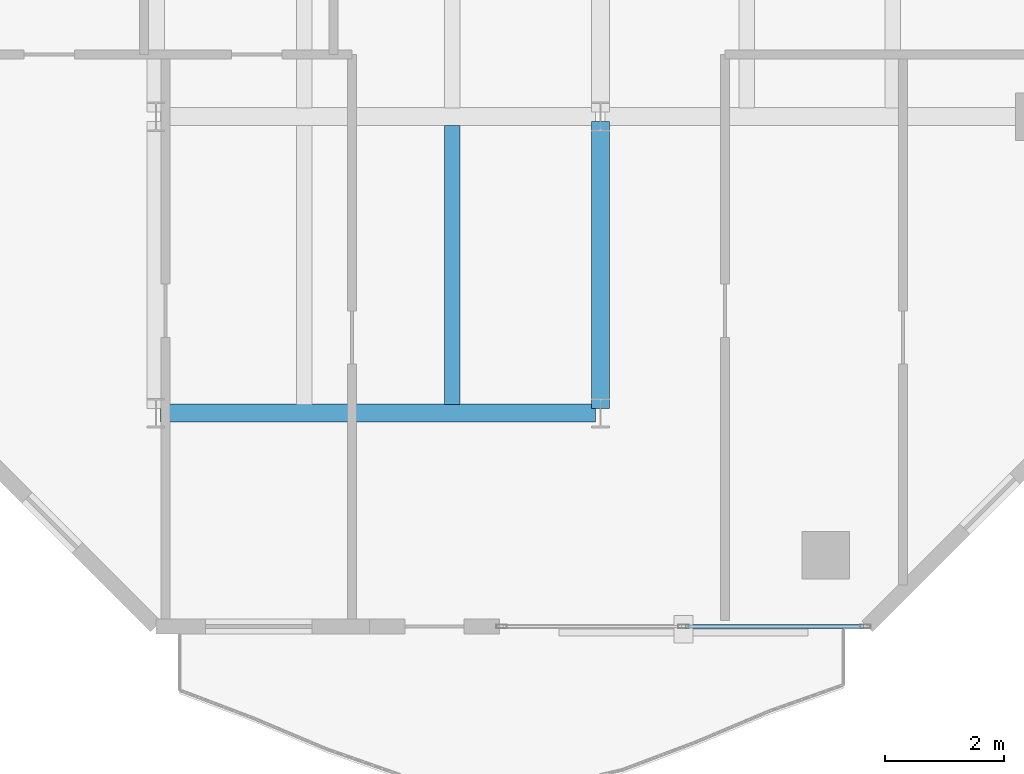
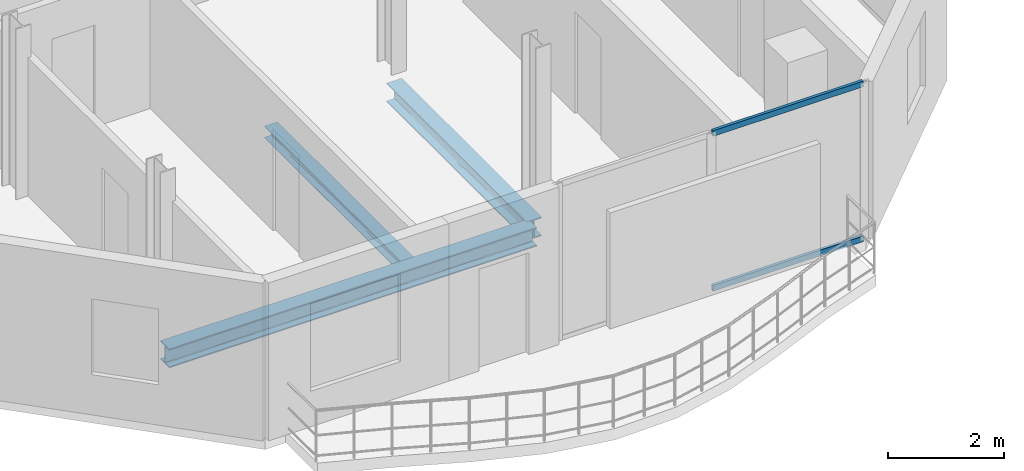
# One storey, part 4 of 23: 3 beams, 2 members, 1 element without a shape of its own.
"""IFC4 building model written with IfcOpenShell, lengths in metres."""

from ifc_helpers import new_model, si_unit, direction, frame, origin, origin_2d, place, context, subcontext, project, spatial, hollow_rectangle, i_section, extrude, material, layer, layer_set, material_profile, profile_set, type_object, element, aggregate, save


model = new_model("IFC4")

# Units and contexts
model_context = context("Model", 3, precision=1e-05, world=origin(), true_north=direction((0.0, 1.0)))
body_context = subcontext(model_context, "Body", "Model", "MODEL_VIEW")
ifc_project = project(units=[si_unit("LENGTHUNIT", "METRE"), si_unit("AREAUNIT", "SQUARE_METRE"), si_unit("VOLUMEUNIT", "CUBIC_METRE"), si_unit("PLANEANGLEUNIT", "RADIAN"), si_unit("MASSUNIT", "GRAM", prefix="KILO")], contexts=[model_context])

# Site, building, storey
site_placement = place(None, origin())
site = spatial("IfcSite", under=ifc_project, at=site_placement, CompositionType="ELEMENT")
building_placement = place(site_placement, origin())
building = spatial("IfcBuilding", under=site, at=building_placement, Name="Catumbela Crestline Tower", CompositionType="ELEMENT")
storey_placement = place(building_placement, frame((0.0, 0.0, 175.8)))
storey = spatial("IfcBuildingStorey", under=building, at=storey_placement, Name="L45", CompositionType="ELEMENT", Elevation=175.8)

# Beams
ifc_material_1 = material(Name="Structural steel S355J2", Category="steel")
ifc_material_profile_1 = material_profile(ifc_material_1, i_section(OverallWidth=0.3, OverallDepth=0.4, WebThickness=0.0135, FlangeThickness=0.024, FilletRadius=0.027, at=origin_2d()), Name="HEB 400")
ifc_profile_set_1 = profile_set([ifc_material_profile_1], Name="Structural steel S355J2")
beam_type_1 = type_object("IfcBeamType", Name="BG-HEB400", PredefinedType="BEAM", material=ifc_profile_set_1)
beam_1_placement = place(storey_placement, frame((8.58, 8.6, -0.46), z_axis=(1.0, 0.0, 0.0), x_axis=(0.0, 1.0, 0.0)))
element("IfcBeam", 1, at=beam_1_placement, inside=storey, type_object=beam_type_1, Name="L45 Beam BM-L45-WEW32", PredefinedType="BEAM", context=body_context, shape_type="SweptSolid", body=[
    extrude(i_section(OverallWidth=0.3, OverallDepth=0.4, WebThickness=0.0135, FlangeThickness=0.024, FilletRadius=0.027, at=origin_2d()), origin(), (0.0, 0.0, 1.0), 7.34),
])
beam_2_placement = place(storey_placement, frame((16.0, 8.68, -0.46), z_axis=(0.0, 1.0, 0.0), x_axis=(-1.0, 0.0, 0.0)))
element("IfcBeam", 2, at=beam_2_placement, inside=storey, type_object=beam_type_1, Name="L45 Beam BM-L45-WNS40", PredefinedType="BEAM", context=body_context, shape_type="SweptSolid", body=[
    extrude(i_section(OverallWidth=0.3, OverallDepth=0.4, WebThickness=0.0135, FlangeThickness=0.024, FilletRadius=0.027, at=origin_2d()), origin(), (0.0, 0.0, 1.0), 4.84),
])
ifc_material_profile_2 = material_profile(ifc_material_1, i_section(OverallWidth=0.26, OverallDepth=0.25, WebThickness=0.0075, FlangeThickness=0.0125, FilletRadius=0.024, at=origin_2d()), Name="HEA 260")
ifc_profile_set_2 = profile_set([ifc_material_profile_2], Name="Structural steel S355J2")
beam_type_2 = type_object("IfcBeamType", Name="BJ-HEA260", PredefinedType="JOIST", material=ifc_profile_set_2)
beam_3_placement = place(storey_placement, frame((13.5, 8.747, -0.385), z_axis=(0.0, 1.0, 0.0), x_axis=(-1.0, 0.0, 0.0)))
element("IfcBeam", 3, at=beam_3_placement, inside=storey, type_object=beam_type_2, Name="L45 Joist JS-L45-WG45", PredefinedType="JOIST", context=body_context, shape_type="SweptSolid", body=[
    extrude(i_section(OverallWidth=0.26, OverallDepth=0.25, WebThickness=0.0075, FlangeThickness=0.0125, FilletRadius=0.024, at=origin_2d()), origin(), (0.0, 0.0, 1.0), 4.706),
])

# Curtain wall, members
ifc_material_2 = material(Name="Aluminium alloy AW-6060-T66", Category="aluminium")
ifc_layer = layer(ifc_material_2, 0.18, Name="Aluminium alloy AW-6060-T66")
ifc_layer_set = layer_set([ifc_layer], Name="Aluminium alloy AW-6060-T66")
curtain_wall_type = type_object("IfcCurtainWallType", Name="CWU-Z3", PredefinedType="USERDEFINED", material=ifc_layer_set)
curtain_wall_placement = place(storey_placement, origin())
curtain_wall = element("IfcCurtainWall", 4, at=curtain_wall_placement, inside=storey, type_object=curtain_wall_type, Name="L45 Unitised Curtain Wall CW-L45-E0S2", ObjectType="UNITISED", PredefinedType="USERDEFINED")
ifc_material_profile_3 = material_profile(ifc_material_2, hollow_rectangle(XDim=0.06, YDim=0.12, WallThickness=0.0035, at=origin_2d()), Name="ALU 120x60x3.5")
ifc_profile_set_3 = profile_set([ifc_material_profile_3], Name="Aluminium alloy AW-6060-T66")
member_type = type_object("IfcMemberType", Name="TRN-120X60", PredefinedType="USERDEFINED", material=ifc_profile_set_3)
member_1_placement = place(storey_placement, frame((17.4325, 5.0, 0.03), z_axis=(1.0, 0.0, 0.0), x_axis=(0.0, 1.0, 0.0)))
member_1 = element("IfcMember", 5, at=member_1_placement, type_object=member_type, Name="CWU-Z3 transom 2.1", ObjectType="TRANSOM", PredefinedType="USERDEFINED", context=body_context, shape_type="SweptSolid", body=[
    extrude(hollow_rectangle(XDim=0.06, YDim=0.12, WallThickness=0.0035, at=origin_2d()), origin(), (0.0, 0.0, 1.0), 3.0025),
])
member_2_placement = place(storey_placement, frame((17.4325, 5.0, 3.3), z_axis=(1.0, 0.0, 0.0), x_axis=(0.0, 1.0, 0.0)))
member_2 = element("IfcMember", 6, at=member_2_placement, type_object=member_type, Name="CWU-Z3 transom 2.2", ObjectType="TRANSOM", PredefinedType="USERDEFINED", context=body_context, shape_type="SweptSolid", body=[
    extrude(hollow_rectangle(XDim=0.06, YDim=0.12, WallThickness=0.0035, at=origin_2d()), origin(), (0.0, 0.0, 1.0), 3.0025),
])
aggregate(curtain_wall, [member_1, member_2])

save(model, "model.ifc")
